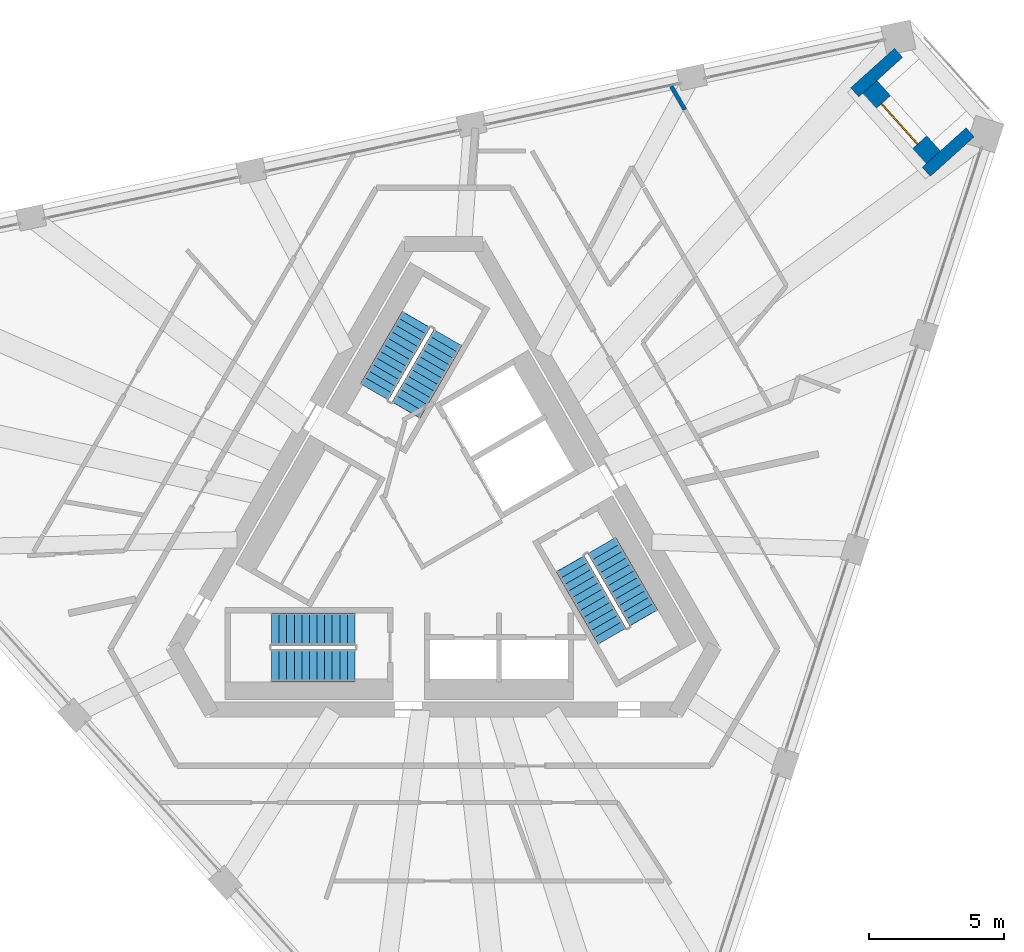
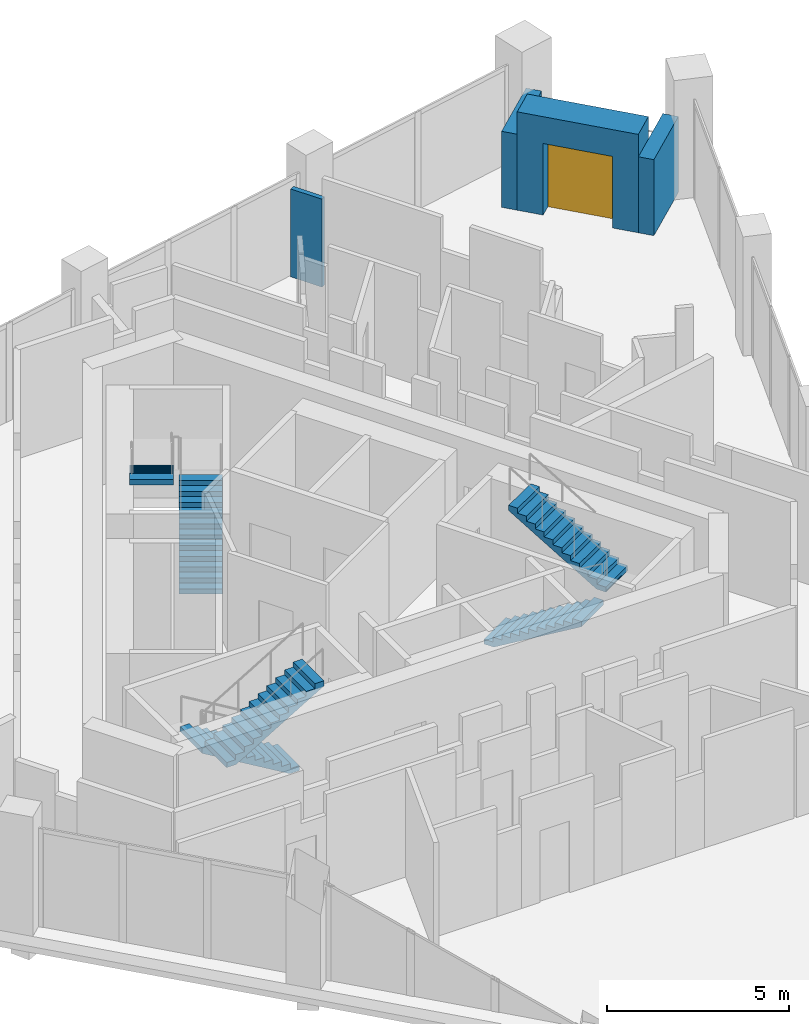
# One storey, part 14 of 17: 6 stair flights, 4 walls, 1 door, 1 opening, 3 elements without a shape of their own.
"""IFC4 building model written with IfcOpenShell, lengths in metres."""

from ifc_helpers import new_model, si_unit, direction, frame, frame_2d, origin, place, context, subcontext, project, spatial, polyline, rectangle, outline, extrude, material, layer, layer_set, type_object, element, fill, aggregate, save


model = new_model("IFC4")

# Units and contexts
model_context = context("Model", 3, precision=1e-05, world=origin(), true_north=direction((0.0, 1.0)))
body_context = subcontext(model_context, "Body", "Model", "MODEL_VIEW")
ifc_project = project(units=[si_unit("LENGTHUNIT", "METRE"), si_unit("AREAUNIT", "SQUARE_METRE"), si_unit("VOLUMEUNIT", "CUBIC_METRE"), si_unit("PLANEANGLEUNIT", "RADIAN"), si_unit("MASSUNIT", "GRAM", prefix="KILO")], contexts=[model_context])

# Site, building, storey
site_placement = place(None, origin())
site = spatial("IfcSite", under=ifc_project, at=site_placement, CompositionType="ELEMENT")
building_placement = place(site_placement, origin())
building = spatial("IfcBuilding", under=site, at=building_placement, Name="Tramontana Tower", CompositionType="ELEMENT")
storey_placement = place(building_placement, frame((0.0, 0.0, 348.39990234375)))
storey = spatial("IfcBuildingStorey", under=building, at=storey_placement, Name="L80", CompositionType="ELEMENT", Elevation=348.39990234375)

# Walls
ifc_material_1 = material(Name="Precast concrete 60 MPa", Category="concrete")
ifc_layer_1 = layer(ifc_material_1, 0.449951171875)
ifc_layer_set_1 = layer_set([ifc_layer_1], Name="Precast concrete 60 MPa, 450 mm")
wall_type_1 = type_object("IfcWallType", Name="EW1 Stone-faced precast wall 450", PredefinedType="SOLIDWALL", material=ifc_layer_set_1)
wall_1_placement = place(storey_placement, frame((16.795654296875, 17.780517578125, 0.0), z_axis=(0.0, 0.0, 1.0), x_axis=(-0.743165997662, -0.669107091518, 0.0)))
element("IfcWall", 1, at=wall_1_placement, inside=storey, type_object=wall_type_1, Name="Corner loggia side wall L80 K82l", PredefinedType="SOLIDWALL", context=body_context, shape_type="SweptSolid", body=[
    extrude(rectangle(XDim=2.178955078125, YDim=0.449951171875, at=frame_2d((1.08935546875, 0.0))), origin(), (0.0, 0.0, 1.0), 2.550048828125),
])
wall_2_placement = place(storey_placement, frame((19.438720703125, 14.84521484375, 0.0), z_axis=(0.0, 0.0, 1.0), x_axis=(-0.743110286166, -0.669168964159, 0.0)))
element("IfcWall", 2, at=wall_2_placement, inside=storey, type_object=wall_type_1, Name="Corner loggia side wall L80 K82r", PredefinedType="SOLIDWALL", context=body_context, shape_type="SweptSolid", body=[
    extrude(rectangle(XDim=2.17919921875, YDim=0.449951171875, at=frame_2d((1.089599609375, 0.0))), origin(), (0.0, 0.0, 1.0), 2.550048828125),
])

# Wall, opening, door
ifc_material_2 = material(Name="Precast concrete 60 MPa", Category="concrete")
ifc_layer_2 = layer(ifc_material_2, 0.89990234375)
ifc_layer_set_2 = layer_set([ifc_layer_2], Name="EW2 Stone-faced corner loggia wall 900")
wall_type_2 = type_object("IfcWallType", Name="EW2 Stone-faced corner loggia wall 900", PredefinedType="SOLIDWALL", material=ifc_layer_set_2)
wall_3_placement = place(storey_placement, frame((15.6611328125, 16.456298828125, 0.0), z_axis=(0.0, 0.0, 1.0), x_axis=(0.669134277936, -0.743141519559, 0.0)))
wall_3 = element("IfcWall", 3, at=wall_3_placement, inside=storey, type_object=wall_type_2, Name="Corner loggia wall L80 K82", PredefinedType="SOLIDWALL", context=body_context, shape_type="SweptSolid", body=[
    extrude(rectangle(XDim=3.5, YDim=0.89990234375, at=frame_2d((1.75, 0.0))), origin(), (0.0, 0.0, 1.0), 3.300048828125),
])
opening_placement = place(wall_3_placement, frame((0.75, 0.0, 0.0)))
opening = element("IfcOpeningElement", 4, at=opening_placement, cuts=wall_3, Name="Opening BD-82C", PredefinedType="OPENING", context=body_context, shape_type="SweptSolid", body=[
    extrude(rectangle(XDim=2.0, YDim=2.39990234375, at=frame_2d((1.0, 1.199951171875))), frame((0.0, 0.4599609375, 0.0), z_axis=(0.0, -1.0, 0.0), x_axis=(1.0, 0.0, 0.0)), (0.0, 0.0, 1.0), 0.919921875),
])
ifc_material_3 = material(Name="Aluminum frame, double glazing unit", Category="aluminium")
door_type = type_object("IfcDoorType", Name="BC1 Sliding door 2 x 2.4", OperationType="SLIDING_TO_LEFT", PredefinedType="DOOR", material=ifc_material_3)
door_placement = place(opening_placement, origin())
door = element("IfcDoor", 5, at=door_placement, inside=storey, type_object=door_type, Name="Corner loggia door L80 K82", OperationType="SLIDING_TO_LEFT", OverallHeight=2.39990234375, OverallWidth=2.0, PredefinedType="DOOR", context=body_context, shape_type="SweptSolid", body=[
    extrude(rectangle(XDim=2.0, YDim=2.39990234375, at=frame_2d((1.0, 1.199951171875))), frame((0.0, 0.02490234375, 0.0), z_axis=(0.0, -1.0, 0.0), x_axis=(1.0, 0.0, 0.0)), (0.0, 0.0, 1.0), 0.050048828125),
])
fill(opening, door)

# Wall
ifc_material_4 = material(Name="Gypsum board partition")
ifc_layer_3 = layer(ifc_material_4, 0.14990234375)
ifc_layer_set_3 = layer_set([ifc_layer_3], Name="PARTITION 150")
wall_type_3 = type_object("IfcWallType", Name="PARTITION 150", PredefinedType="PARTITIONING", material=ifc_layer_set_3)
wall_4_placement = place(storey_placement, frame((8.900634765625, 15.683837890625, 0.0), z_axis=(0.0, 0.0, 1.0), x_axis=(-0.500129239174, 0.865950774653, 0.0)))
element("IfcWall", 6, at=wall_4_placement, inside=storey, type_object=wall_type_3, Name="Wall v82-pw25-4", PredefinedType="PARTITIONING", context=body_context, shape_type="SweptSolid", body=[
    extrude(rectangle(XDim=0.987060546875, YDim=0.14990234375, at=frame_2d((0.49365234375, 0.0))), origin(), (0.0, 0.0, 1.0), 2.9501953125),
])

# Stair, stair flights
ifc_material_5 = material(Name="Concrete 40 MPa", Category="concrete")
stair_type = type_object("IfcStairType", Name="EXIT STAIR 24 RISERS", PredefinedType="HALF_TURN_STAIR", material=ifc_material_5)
stair_1_placement = place(storey_placement, origin())
stair_1 = element("IfcStair", 7, at=stair_1_placement, inside=storey, type_object=stair_type, Name="L80 Exit stair ST1", PredefinedType="HALF_TURN_STAIR")
ifc_material_6 = material(Name="Concrete 40 MPa", Category="concrete")
ifc_layer_4 = layer(ifc_material_6, 0.14990234375)
ifc_layer_set_4 = layer_set([ifc_layer_4], Name="EXIT STAIR FLIGHT")
stair_flight_type = type_object("IfcStairFlightType", Name="EXIT STAIR FLIGHT", PredefinedType="STRAIGHT", material=ifc_layer_set_4)
stair_flight_1_placement = place(storey_placement, frame((-1.39111328125, 4.590576171875, 0.0), z_axis=(0.0, 0.0, 1.0), x_axis=(0.5, 0.866025403784, 0.0)))
stair_flight_1 = element("IfcStairFlight", 8, at=stair_flight_1_placement, type_object=stair_flight_type, Name="ST1 flight 1", NumberOfRisers=12, NumberOfTreads=11, PredefinedType="STRAIGHT", RiserHeight=0.166666667, TreadLength=0.28, context=body_context, shape_type="SweptSolid", body=[
    extrude(outline(polyline([(-0.006103515625, 0.0), (-0.006103515625, 0.0400390625), (0.0, 0.0400390625), (0.0, 0.166748046875), (0.280029296875, 0.166748046875), (0.280029296875, 0.333251953125), (0.56005859375, 0.333251953125), (0.56005859375, 0.5), (0.840087890625, 0.5), (0.840087890625, 0.666748046875), (1.1201171875, 0.666748046875), (1.1201171875, 0.833251953125), (1.39990234375, 0.833251953125), (1.39990234375, 1.0), (1.679931640625, 1.0), (1.679931640625, 1.166748046875), (1.9599609375, 1.166748046875), (1.9599609375, 1.333251953125), (2.239990234375, 1.333251953125), (2.239990234375, 1.5), (2.52001953125, 1.5), (2.52001953125, 1.666748046875), (2.800048828125, 1.666748046875), (2.800048828125, 1.833251953125), (3.080078125, 1.833251953125), (3.0859375, 1.833251953125), (3.0859375, 1.658935546875), (0.299072265625, 0.0), (-0.006103515625, 0.0)])), frame((0.0, 0.60009765625, 0.0), z_axis=(0.0, -1.0, 0.0), x_axis=(1.0, 0.0, 0.0)), (0.0, 0.0, 1.0), 1.199951171875),
])
stair_flight_2_placement = place(storey_placement, frame((-1.020263671875, 7.932861328125, 2.0), z_axis=(0.0, 0.0, 1.0), x_axis=(-0.5, -0.866025403784, 0.0)))
stair_flight_2 = element("IfcStairFlight", 9, at=stair_flight_2_placement, type_object=stair_flight_type, Name="ST1 flight 2", NumberOfRisers=12, NumberOfTreads=11, PredefinedType="STRAIGHT", RiserHeight=0.166666667, TreadLength=0.28, context=body_context, shape_type="SweptSolid", body=[
    extrude(outline(polyline([(-0.006103515625, 0.0), (-0.006103515625, 0.0400390625), (0.0, 0.0400390625), (0.0, 0.166748046875), (0.280029296875, 0.166748046875), (0.280029296875, 0.333251953125), (0.56005859375, 0.333251953125), (0.56005859375, 0.5), (0.840087890625, 0.5), (0.840087890625, 0.666748046875), (1.1201171875, 0.666748046875), (1.1201171875, 0.833251953125), (1.39990234375, 0.833251953125), (1.39990234375, 1.0), (1.679931640625, 1.0), (1.679931640625, 1.166748046875), (1.9599609375, 1.166748046875), (1.9599609375, 1.333251953125), (2.239990234375, 1.333251953125), (2.239990234375, 1.5), (2.52001953125, 1.5), (2.52001953125, 1.666748046875), (2.800048828125, 1.666748046875), (2.800048828125, 1.833251953125), (3.080078125, 1.833251953125), (3.0859375, 1.833251953125), (3.0859375, 1.658935546875), (0.299072265625, 0.0), (-0.006103515625, 0.0)])), frame((0.0, 0.60009765625, 0.0), z_axis=(0.0, -1.0, 0.0), x_axis=(1.0, 0.0, 0.0)), (0.0, 0.0, 1.0), 1.199951171875),
])
aggregate(stair_1, [stair_flight_1, stair_flight_2])

stair_2_placement = place(storey_placement, origin())
stair_2 = element("IfcStair", 10, at=stair_2_placement, inside=storey, type_object=stair_type, Name="L80 Exit stair ST2", PredefinedType="HALF_TURN_STAIR")
stair_flight_3_placement = place(storey_placement, frame((-3.280029296875, -3.5, 0.0), z_axis=(0.0, 0.0, 1.0), x_axis=(-1.0, 0.0, 0.0)))
stair_flight_3 = element("IfcStairFlight", 11, at=stair_flight_3_placement, type_object=stair_flight_type, Name="ST2 flight 1", NumberOfRisers=12, NumberOfTreads=11, PredefinedType="STRAIGHT", RiserHeight=0.166666667, TreadLength=0.28, context=body_context, shape_type="SweptSolid", body=[
    extrude(outline(polyline([(-0.006103515625, 0.0), (-0.006103515625, 0.0400390625), (0.0, 0.0400390625), (0.0, 0.166748046875), (0.280029296875, 0.166748046875), (0.280029296875, 0.333251953125), (0.56005859375, 0.333251953125), (0.56005859375, 0.5), (0.840087890625, 0.5), (0.840087890625, 0.666748046875), (1.1201171875, 0.666748046875), (1.1201171875, 0.833251953125), (1.39990234375, 0.833251953125), (1.39990234375, 1.0), (1.679931640625, 1.0), (1.679931640625, 1.166748046875), (1.9599609375, 1.166748046875), (1.9599609375, 1.333251953125), (2.239990234375, 1.333251953125), (2.239990234375, 1.5), (2.52001953125, 1.5), (2.52001953125, 1.666748046875), (2.800048828125, 1.666748046875), (2.800048828125, 1.833251953125), (3.080078125, 1.833251953125), (3.0859375, 1.833251953125), (3.0859375, 1.658935546875), (0.299072265625, 0.0), (-0.006103515625, 0.0)])), frame((0.0, 0.60009765625, 0.0), z_axis=(0.0, -1.0, 0.0), x_axis=(1.0, 0.0, 0.0)), (0.0, 0.0, 1.0), 1.199951171875),
])
stair_flight_4_placement = place(storey_placement, frame((-6.360107421875, -4.85009765625, 2.0), z_axis=(0.0, 0.0, 1.0), x_axis=(1.0, 0.0, 0.0)))
stair_flight_4 = element("IfcStairFlight", 12, at=stair_flight_4_placement, type_object=stair_flight_type, Name="ST2 flight 2", NumberOfRisers=12, NumberOfTreads=11, PredefinedType="STRAIGHT", RiserHeight=0.166666667, TreadLength=0.28, context=body_context, shape_type="SweptSolid", body=[
    extrude(outline(polyline([(-0.006103515625, 0.0), (-0.006103515625, 0.0400390625), (0.0, 0.0400390625), (0.0, 0.166748046875), (0.280029296875, 0.166748046875), (0.280029296875, 0.333251953125), (0.56005859375, 0.333251953125), (0.56005859375, 0.5), (0.840087890625, 0.5), (0.840087890625, 0.666748046875), (1.1201171875, 0.666748046875), (1.1201171875, 0.833251953125), (1.39990234375, 0.833251953125), (1.39990234375, 1.0), (1.679931640625, 1.0), (1.679931640625, 1.166748046875), (1.9599609375, 1.166748046875), (1.9599609375, 1.333251953125), (2.239990234375, 1.333251953125), (2.239990234375, 1.5), (2.52001953125, 1.5), (2.52001953125, 1.666748046875), (2.800048828125, 1.666748046875), (2.800048828125, 1.833251953125), (3.080078125, 1.833251953125), (3.0859375, 1.833251953125), (3.0859375, 1.658935546875), (0.299072265625, 0.0), (-0.006103515625, 0.0)])), frame((0.0, 0.60009765625, 0.0), z_axis=(0.0, -1.0, 0.0), x_axis=(1.0, 0.0, 0.0)), (0.0, 0.0, 1.0), 1.199951171875),
])
aggregate(stair_2, [stair_flight_3, stair_flight_4])

stair_3_placement = place(storey_placement, origin())
stair_3 = element("IfcStair", 13, at=stair_3_placement, inside=storey, type_object=stair_type, Name="L80 Exit stair ST3", PredefinedType="HALF_TURN_STAIR")
stair_flight_5_placement = place(storey_placement, frame((4.671142578125, -1.090576171875, 0.0), z_axis=(0.0, 0.0, 1.0), x_axis=(0.5, -0.866025403784, 0.0)))
stair_flight_5 = element("IfcStairFlight", 14, at=stair_flight_5_placement, type_object=stair_flight_type, Name="ST3 flight 1", NumberOfRisers=12, NumberOfTreads=11, PredefinedType="STRAIGHT", RiserHeight=0.166666667, TreadLength=0.28, context=body_context, shape_type="SweptSolid", body=[
    extrude(outline(polyline([(-0.006103515625, 0.0), (-0.006103515625, 0.0400390625), (0.0, 0.0400390625), (0.0, 0.166748046875), (0.280029296875, 0.166748046875), (0.280029296875, 0.333251953125), (0.56005859375, 0.333251953125), (0.56005859375, 0.5), (0.840087890625, 0.5), (0.840087890625, 0.666748046875), (1.1201171875, 0.666748046875), (1.1201171875, 0.833251953125), (1.39990234375, 0.833251953125), (1.39990234375, 1.0), (1.679931640625, 1.0), (1.679931640625, 1.166748046875), (1.9599609375, 1.166748046875), (1.9599609375, 1.333251953125), (2.239990234375, 1.333251953125), (2.239990234375, 1.5), (2.52001953125, 1.5), (2.52001953125, 1.666748046875), (2.800048828125, 1.666748046875), (2.800048828125, 1.833251953125), (3.080078125, 1.833251953125), (3.0859375, 1.833251953125), (3.0859375, 1.658935546875), (0.299072265625, 0.0), (-0.006103515625, 0.0)])), frame((0.0, 0.60009765625, 0.0), z_axis=(0.0, -1.0, 0.0), x_axis=(1.0, 0.0, 0.0)), (0.0, 0.0, 1.0), 1.199951171875),
])
stair_flight_6_placement = place(storey_placement, frame((7.380126953125, -3.0830078125, 2.0), z_axis=(0.0, 0.0, 1.0), x_axis=(-0.5, 0.866025403784, 0.0)))
stair_flight_6 = element("IfcStairFlight", 15, at=stair_flight_6_placement, type_object=stair_flight_type, Name="ST3 flight 2", NumberOfRisers=12, NumberOfTreads=11, PredefinedType="STRAIGHT", RiserHeight=0.166666667, TreadLength=0.28, context=body_context, shape_type="SweptSolid", body=[
    extrude(outline(polyline([(-0.006103515625, 0.0), (-0.006103515625, 0.0400390625), (0.0, 0.0400390625), (0.0, 0.166748046875), (0.280029296875, 0.166748046875), (0.280029296875, 0.333251953125), (0.56005859375, 0.333251953125), (0.56005859375, 0.5), (0.840087890625, 0.5), (0.840087890625, 0.666748046875), (1.1201171875, 0.666748046875), (1.1201171875, 0.833251953125), (1.39990234375, 0.833251953125), (1.39990234375, 1.0), (1.679931640625, 1.0), (1.679931640625, 1.166748046875), (1.9599609375, 1.166748046875), (1.9599609375, 1.333251953125), (2.239990234375, 1.333251953125), (2.239990234375, 1.5), (2.52001953125, 1.5), (2.52001953125, 1.666748046875), (2.800048828125, 1.666748046875), (2.800048828125, 1.833251953125), (3.080078125, 1.833251953125), (3.0859375, 1.833251953125), (3.0859375, 1.658935546875), (0.299072265625, 0.0), (-0.006103515625, 0.0)])), frame((0.0, 0.60009765625, 0.0), z_axis=(0.0, -1.0, 0.0), x_axis=(1.0, 0.0, 0.0)), (0.0, 0.0, 1.0), 1.199951171875),
])
aggregate(stair_3, [stair_flight_5, stair_flight_6])

save(model, "model.ifc")
